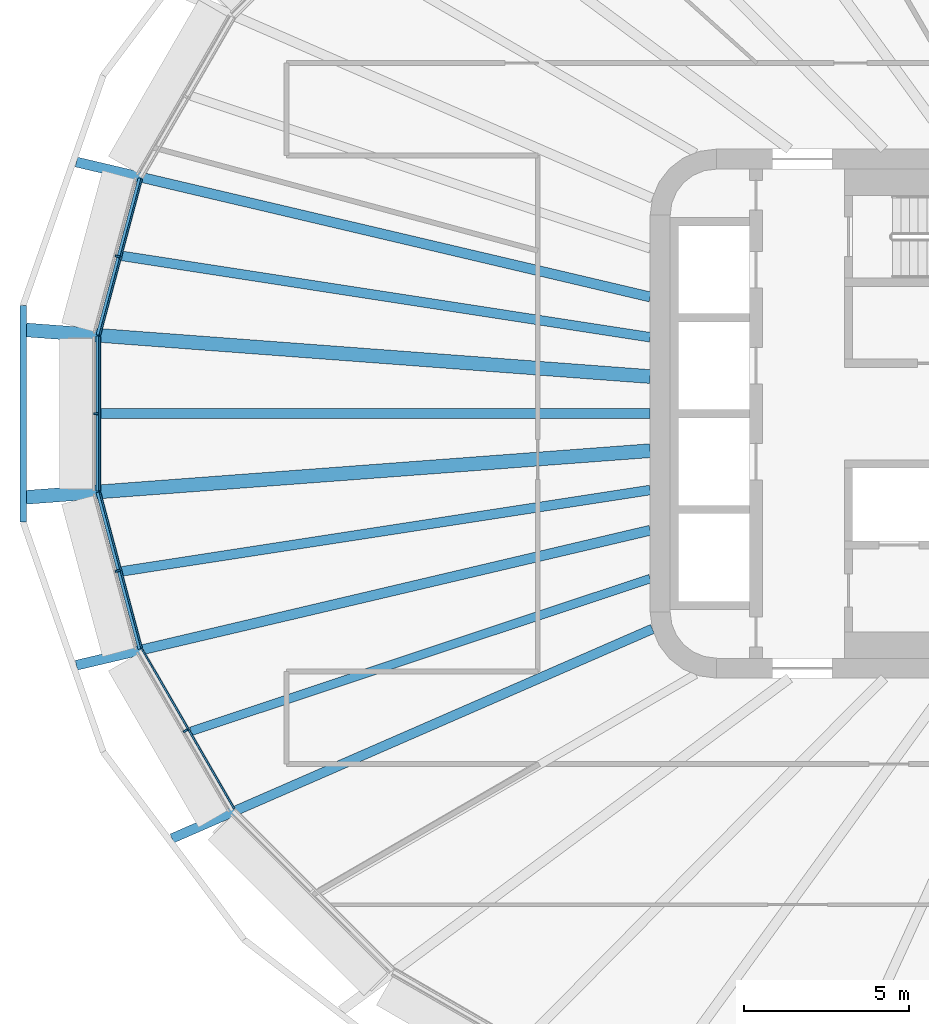
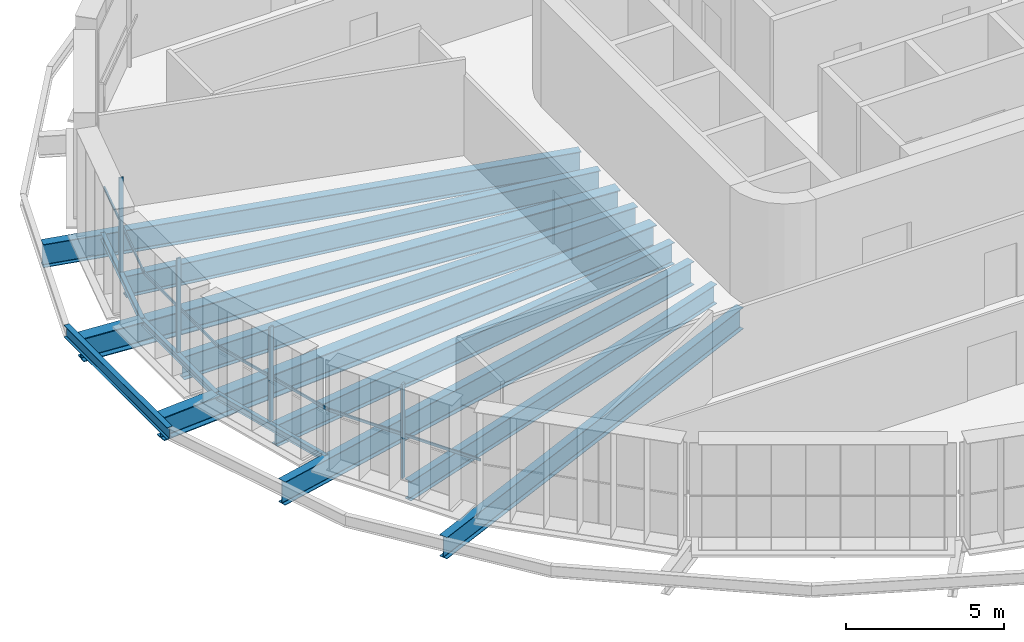
# One storey, part 3 of 24: 13 beams, 8 members, 4 elements without a shape of their own.
"""IFC4 building model written with IfcOpenShell, lengths in metres."""

from ifc_helpers import new_model, si_unit, direction, frame, origin, origin_2d, place, context, subcontext, project, spatial, rectangle, i_section, extrude, material, layer, layer_set, material_profile, profile_set, type_object, element, aggregate, save


model = new_model("IFC4")

# Units and contexts
model_context = context("Model", 3, precision=1e-05, world=origin(), true_north=direction((0.0, 1.0)))
body_context = subcontext(model_context, "Body", "Model", "MODEL_VIEW")
ifc_project = project(units=[si_unit("LENGTHUNIT", "METRE"), si_unit("AREAUNIT", "SQUARE_METRE"), si_unit("VOLUMEUNIT", "CUBIC_METRE"), si_unit("PLANEANGLEUNIT", "RADIAN"), si_unit("MASSUNIT", "GRAM", prefix="KILO")], contexts=[model_context])

# Site, building, storey
site_placement = place(None, origin())
site = spatial("IfcSite", under=ifc_project, at=site_placement, CompositionType="ELEMENT")
building_placement = place(site_placement, origin())
building = spatial("IfcBuilding", under=site, at=building_placement, Name="Sahrelin Media Tower", CompositionType="ELEMENT")
storey_placement = place(building_placement, frame((0.0, 0.0, 123.0)))
storey = spatial("IfcBuildingStorey", under=building, at=storey_placement, Name="L24", CompositionType="ELEMENT", Elevation=123.0)

# Beams
ifc_material_1 = material(Name="Steel S355", Category="steel")
ifc_material_profile_1 = material_profile(ifc_material_1, i_section(OverallWidth=0.14599609375, OverallDepth=0.25146484375, WebThickness=0.006103515625, FlangeThickness=0.008544921875, FilletRadius=0.007568359375, at=origin_2d()), Name="UB 254x146x31")
ifc_profile_set_1 = profile_set([ifc_material_profile_1], Name="Steel S355")
beam_type_1 = type_object("IfcBeamType", Name="Edge beam EB1", PredefinedType="BEAM", material=ifc_profile_set_1)
beam_1_placement = place(storey_placement, frame((-30.41845703125, -7.1142578125, -0.275634765625), z_axis=(-0.258817308442, 0.965926291624, 0.0), x_axis=(-0.965926291624, -0.258817308442, 0.0)))
element("IfcBeam", 1, at=beam_1_placement, inside=storey, type_object=beam_type_1, Name="Edge beam L24-12", PredefinedType="BEAM", context=body_context, shape_type="SweptSolid", body=[
    extrude(i_section(OverallWidth=0.14599609375, OverallDepth=0.25146484375, WebThickness=0.006103515625, FlangeThickness=0.008544921875, FilletRadius=0.007568359375, at=origin_2d()), origin(), (0.0, 0.0, 1.0), 4.907958984375),
])
beam_2_placement = place(storey_placement, frame((-31.6923828125, -2.344970703125, -0.275634765625), z_axis=(0.0, 1.0, 0.0), x_axis=(-1.0, 0.0, 0.0)))
element("IfcBeam", 2, at=beam_2_placement, inside=storey, type_object=beam_type_1, Name="Edge beam L24-13", PredefinedType="BEAM", context=body_context, shape_type="SweptSolid", body=[
    extrude(i_section(OverallWidth=0.14599609375, OverallDepth=0.25146484375, WebThickness=0.006103515625, FlangeThickness=0.008544921875, FilletRadius=0.007568359375, at=origin_2d()), origin(), (0.0, 0.0, 1.0), 4.68994140625),
])
beam_3_placement = place(storey_placement, frame((-31.688720703125, 2.37353515625, -0.275634765625), z_axis=(0.258817308442, 0.965926291624, 0.0), x_axis=(-0.965926291624, 0.258817308442, 0.0)))
element("IfcBeam", 3, at=beam_3_placement, inside=storey, type_object=beam_type_1, Name="Edge beam L24-14", PredefinedType="BEAM", context=body_context, shape_type="SweptSolid", body=[
    extrude(i_section(OverallWidth=0.14599609375, OverallDepth=0.25146484375, WebThickness=0.006103515625, FlangeThickness=0.008544921875, FilletRadius=0.007568359375, at=origin_2d()), origin(), (0.0, 0.0, 1.0), 4.907958984375),
])

# Curtain wall, member
ifc_material_2 = material(Name="Champagne anodised aluminium 6063-T6", Category="aluminium")
ifc_layer = layer(ifc_material_2, 0.14990234375)
ifc_layer_set = layer_set([ifc_layer], Name="Tower ribbon curtain wall")
curtain_wall_type = type_object("IfcCurtainWallType", Name="Tower ribbon curtain wall", PredefinedType="NOTDEFINED", material=ifc_layer_set)
curtain_wall_1_placement = place(storey_placement, frame((-31.198486328125, 4.78271484375, 0.0), z_axis=(0.0, 0.0, 1.0), x_axis=(1.0, 0.0, 0.0)))
curtain_wall_1 = element("IfcCurtainWall", 4, at=curtain_wall_1_placement, inside=storey, type_object=curtain_wall_type, Name="L24:CW:L24-11", PredefinedType="NOTDEFINED")
ifc_material_profile_2 = material_profile(ifc_material_2, rectangle(XDim=0.06005859375, YDim=0.14990234375, at=origin_2d()), Name="Mullion 60x150")
ifc_profile_set_2 = profile_set([ifc_material_profile_2], Name="Champagne anodised aluminium 6063-T6")
member_type_1 = type_object("IfcMemberType", Name="Mullion 60x150 CW1", PredefinedType="MULLION", material=ifc_profile_set_2)
member_1_placement = place(storey_placement, frame((-31.106689453125, 4.758056640625, 0.0), z_axis=(0.0, 0.0, 1.0), x_axis=(-0.258812301662, -0.965927633163, 0.0)))
member_1 = element("IfcMember", 5, at=member_1_placement, type_object=member_type_1, Name="L24:CWM:L24-11", PredefinedType="MULLION", context=body_context, shape_type="SweptSolid", body=[
    extrude(rectangle(XDim=0.06005859375, YDim=0.14990234375, at=origin_2d()), origin(), (0.0, 0.0, 1.0), 3.648681640625),
])

curtain_wall_2_placement = place(storey_placement, frame((-31.84228515625, 0.0, 0.0), z_axis=(0.0, 0.0, 1.0), x_axis=(1.0, 0.0, 0.0)))
curtain_wall_2 = element("IfcCurtainWall", 6, at=curtain_wall_2_placement, inside=storey, type_object=curtain_wall_type, Name="L24:CW:L24-12", PredefinedType="NOTDEFINED")
member_2_placement = place(storey_placement, frame((-31.747314453125, 0.0, 0.0), z_axis=(0.0, 0.0, 1.0), x_axis=(0.0, -1.0, 0.0)))
member_2 = element("IfcMember", 7, at=member_2_placement, type_object=member_type_1, Name="L24:CWM:L24-12", PredefinedType="MULLION", context=body_context, shape_type="SweptSolid", body=[
    extrude(rectangle(XDim=0.06005859375, YDim=0.14990234375, at=origin_2d()), origin(), (0.0, 0.0, 1.0), 3.648681640625),
])

curtain_wall_3_placement = place(storey_placement, frame((-31.198486328125, -4.78271484375, 0.0), z_axis=(0.0, 0.0, 1.0), x_axis=(1.0, 0.0, 0.0)))
curtain_wall_3 = element("IfcCurtainWall", 8, at=curtain_wall_3_placement, inside=storey, type_object=curtain_wall_type, Name="L24:CW:L24-13", PredefinedType="NOTDEFINED")
member_3_placement = place(storey_placement, frame((-31.106689453125, -4.758056640625, 0.0), z_axis=(0.0, 0.0, 1.0), x_axis=(0.258812301662, -0.965927633163, 0.0)))
member_3 = element("IfcMember", 9, at=member_3_placement, type_object=member_type_1, Name="L24:CWM:L24-13", PredefinedType="MULLION", context=body_context, shape_type="SweptSolid", body=[
    extrude(rectangle(XDim=0.06005859375, YDim=0.14990234375, at=origin_2d()), origin(), (0.0, 0.0, 1.0), 3.648681640625),
])

curtain_wall_4_placement = place(storey_placement, frame((-29.138916015625, -9.63818359375, 0.0), z_axis=(0.0, 0.0, 1.0), x_axis=(1.0, 0.0, 0.0)))
curtain_wall_4 = element("IfcCurtainWall", 10, at=curtain_wall_4_placement, inside=storey, type_object=curtain_wall_type, Name="L24:CW:L24-14", PredefinedType="NOTDEFINED")
member_4_placement = place(storey_placement, frame((-29.056396484375, -9.590576171875, 0.0), z_axis=(0.0, 0.0, 1.0), x_axis=(0.4999984885, -0.866026276448, 0.0)))
member_4 = element("IfcMember", 11, at=member_4_placement, type_object=member_type_1, Name="L24:CWM:L24-14", PredefinedType="MULLION", context=body_context, shape_type="SweptSolid", body=[
    extrude(rectangle(XDim=0.06005859375, YDim=0.14990234375, at=origin_2d()), origin(), (0.0, 0.0, 1.0), 3.648681640625),
])

# Beams
ifc_material_profile_3 = material_profile(ifc_material_1, i_section(OverallWidth=0.291748046875, OverallDepth=0.8349609375, WebThickness=0.013916015625, FlangeThickness=0.018798828125, FilletRadius=0.017822265625, at=origin_2d()), Name="UB 838x292x176")
ifc_profile_set_3 = profile_set([ifc_material_profile_3], Name="Steel S355")
beam_type_2 = type_object("IfcBeamType", Name="Radial primary beam PB10", PredefinedType="BEAM", material=ifc_profile_set_3)
beam_4_placement = place(storey_placement, frame((-14.9326171875, -6.51220703125, -0.5673828125), z_axis=(-0.916634616148, -0.399726131844, 0.0), x_axis=(0.399726131844, -0.916634616148, 0.0)))
element("IfcBeam", 12, at=beam_4_placement, inside=storey, type_object=beam_type_2, Name="Radial beam L24-15", PredefinedType="BEAM", context=body_context, shape_type="SweptSolid", body=[
    extrude(i_section(OverallWidth=0.291748046875, OverallDepth=0.8349609375, WebThickness=0.013916015625, FlangeThickness=0.018798828125, FilletRadius=0.017822265625, at=origin_2d()), origin(), (0.0, 0.0, 1.0), 15.8505859375),
])
ifc_material_profile_4 = material_profile(ifc_material_1, i_section(OverallWidth=0.30322265625, OverallDepth=0.903076171875, WebThickness=0.01513671875, FlangeThickness=0.020263671875, FilletRadius=0.01904296875, at=origin_2d()), Name="UB 914x305x201")
ifc_profile_set_4 = profile_set([ifc_material_profile_4], Name="Steel S355")
beam_type_3 = type_object("IfcBeamType", Name="Radial primary beam PB11", PredefinedType="BEAM", material=ifc_profile_set_4)
for number, where, z_axis, x_axis, name in (
    (13, (-15.0, 3.52783203125, -0.6015625), (-0.973438894473, 0.22894697798, 0.0), (-0.22894697798, -0.973438894473, 0.0), "Radial beam L24-11"),
    (14, (-15.0, -3.52783203125, -0.6015625), (-0.973438894473, -0.22894697798, 0.0), (0.22894697798, -0.973438894473, 0.0), "Radial beam L24-14"),
):
    element("IfcBeam", number, at=place(storey_placement, frame(where, z_axis=z_axis, x_axis=x_axis)), inside=storey, type_object=beam_type_3, Name=name, PredefinedType="BEAM", context=body_context, shape_type="SweptSolid", body=[
        extrude(i_section(OverallWidth=0.30322265625, OverallDepth=0.903076171875, WebThickness=0.01513671875, FlangeThickness=0.020263671875, FilletRadius=0.01904296875, at=origin_2d()), origin(), (0.0, 0.0, 1.0), 17.82861328125),
    ])
ifc_material_profile_5 = material_profile(ifc_material_1, i_section(OverallWidth=0.41845703125, OverallDepth=0.911865234375, WebThickness=0.019287109375, FlangeThickness=0.031982421875, FilletRadius=0.024169921875, at=origin_2d()), Name="UB 914x419x343")
ifc_profile_set_5 = profile_set([ifc_material_profile_5], Name="Steel S355")
beam_type_4 = type_object("IfcBeamType", Name="Radial primary beam PB12", PredefinedType="BEAM", material=ifc_profile_set_5)
for number, where, z_axis, x_axis, name in (
    (15, (-15.0, 1.120849609375, -0.60595703125), (-0.997220943798, 0.074500934562, 0.0), (-0.074500934562, -0.997220943798, 0.0), "Radial beam L24-12"),
    (16, (-15.0, -1.120849609375, -0.60595703125), (-0.997220943798, -0.074500934562, 0.0), (0.074500934562, -0.997220943798, 0.0), "Radial beam L24-13"),
):
    element("IfcBeam", number, at=place(storey_placement, frame(where, z_axis=z_axis, x_axis=x_axis)), inside=storey, type_object=beam_type_4, Name=name, PredefinedType="BEAM", context=body_context, shape_type="SweptSolid", body=[
        extrude(i_section(OverallWidth=0.41845703125, OverallDepth=0.911865234375, WebThickness=0.019287109375, FlangeThickness=0.031982421875, FilletRadius=0.024169921875, at=origin_2d()), origin(), (0.0, 0.0, 1.0), 18.92138671875),
    ])
ifc_material_profile_6 = material_profile(ifc_material_1, i_section(OverallWidth=0.291748046875, OverallDepth=0.8349609375, WebThickness=0.013916015625, FlangeThickness=0.018798828125, FilletRadius=0.017822265625, at=origin_2d()), Name="UB 838x292x176")
ifc_profile_set_6 = profile_set([ifc_material_profile_6], Name="Steel S355")
beam_type_5 = type_object("IfcBeamType", Name="Radial secondary beam SB10", PredefinedType="BEAM", material=ifc_profile_set_6)
for number, where, z_axis, x_axis, name in (
    (17, (-15.0, 2.309814453125, -0.5673828125), (-0.988349679946, 0.152200230453, 0.0), (-0.152200230453, -0.988349679946, 0.0), "Secondary beam L24-07"),
    (18, (-15.0, -2.309814453125, -0.5673828125), (-0.988349679946, -0.152200230453, 0.0), (0.152200230453, -0.988349679946, 0.0), "Secondary beam L24-09"),
):
    element("IfcBeam", number, at=place(storey_placement, frame(where, z_axis=z_axis, x_axis=x_axis)), inside=storey, type_object=beam_type_5, Name=name, PredefinedType="BEAM", context=body_context, shape_type="SweptSolid", body=[
        extrude(i_section(OverallWidth=0.291748046875, OverallDepth=0.8349609375, WebThickness=0.013916015625, FlangeThickness=0.018798828125, FilletRadius=0.017822265625, at=origin_2d()), origin(), (0.0, 0.0, 1.0), 16.159423828125),
    ])
ifc_material_profile_7 = material_profile(ifc_material_1, i_section(OverallWidth=0.30322265625, OverallDepth=0.903076171875, WebThickness=0.01513671875, FlangeThickness=0.020263671875, FilletRadius=0.01904296875, at=origin_2d()), Name="UB 914x305x201")
ifc_profile_set_7 = profile_set([ifc_material_profile_7], Name="Steel S355")
beam_type_6 = type_object("IfcBeamType", Name="Radial secondary beam SB11", PredefinedType="BEAM", material=ifc_profile_set_7)
beam_5_placement = place(storey_placement, frame((-15.0, 0.0, -0.6015625), z_axis=(-1.0, 0.0, 0.0), x_axis=(0.0, -1.0, 0.0)))
element("IfcBeam", 19, at=beam_5_placement, inside=storey, type_object=beam_type_6, Name="Secondary beam L24-08", PredefinedType="BEAM", context=body_context, shape_type="SweptSolid", body=[
    extrude(i_section(OverallWidth=0.30322265625, OverallDepth=0.903076171875, WebThickness=0.01513671875, FlangeThickness=0.020263671875, FilletRadius=0.01904296875, at=origin_2d()), origin(), (0.0, 0.0, 1.0), 16.619384765625),
])
ifc_material_profile_8 = material_profile(ifc_material_1, i_section(OverallWidth=0.26513671875, OverallDepth=0.75390625, WebThickness=0.0126953125, FlangeThickness=0.017578125, FilletRadius=0.0166015625, at=origin_2d()), Name="UB 762x267x147")
ifc_profile_set_8 = profile_set([ifc_material_profile_8], Name="Steel S355")
beam_type_7 = type_object("IfcBeamType", Name="Radial secondary beam SB9", PredefinedType="BEAM", material=ifc_profile_set_8)
beam_6_placement = place(storey_placement, frame((-15.0, -4.989501953125, -0.527099609375), z_axis=(-0.948886617928, -0.315617151493, 0.0), x_axis=(0.315617151493, -0.948886617928, 0.0)))
element("IfcBeam", 20, at=beam_6_placement, inside=storey, type_object=beam_type_7, Name="Secondary beam L24-10", PredefinedType="BEAM", context=body_context, shape_type="SweptSolid", body=[
    extrude(i_section(OverallWidth=0.26513671875, OverallDepth=0.75390625, WebThickness=0.0126953125, FlangeThickness=0.017578125, FilletRadius=0.0166015625, at=origin_2d()), origin(), (0.0, 0.0, 1.0), 14.63525390625),
])
ifc_material_profile_9 = material_profile(ifc_material_1, i_section(OverallWidth=0.1904296875, OverallDepth=0.45703125, WebThickness=0.009033203125, FlangeThickness=0.014404296875, FilletRadius=0.01025390625, at=origin_2d()), Name="UB 457x191x74")
ifc_profile_set_9 = profile_set([ifc_material_profile_9], Name="Steel S355")
beam_type_8 = type_object("IfcBeamType", Name="Tie chord TC5", PredefinedType="BEAM", material=ifc_profile_set_9)
beam_7_placement = place(storey_placement, frame((-33.964111328125, 3.276611328125, -0.37841796875), z_axis=(0.0, -1.0, 0.0), x_axis=(1.0, 0.0, 0.0)))
element("IfcBeam", 21, at=beam_7_placement, inside=storey, type_object=beam_type_8, Name="Tie chord L24-12", PredefinedType="BEAM", context=body_context, shape_type="SweptSolid", body=[
    extrude(i_section(OverallWidth=0.1904296875, OverallDepth=0.45703125, WebThickness=0.009033203125, FlangeThickness=0.014404296875, FilletRadius=0.01025390625, at=origin_2d()), origin(), (0.0, 0.0, 1.0), 6.55322265625),
])

# Member
ifc_material_profile_10 = material_profile(ifc_material_2, rectangle(XDim=0.050048828125, YDim=0.10009765625, at=origin_2d()), Name="Transom 50x100")
ifc_profile_set_10 = profile_set([ifc_material_profile_10], Name="Champagne anodised aluminium 6063-T6")
member_type_2 = type_object("IfcMemberType", Name="Transom 50x100 CW1", PredefinedType="USERDEFINED", material=ifc_profile_set_10)
member_5_placement = place(storey_placement, frame((-30.37890625, 7.08740234375, 1.60009765625), z_axis=(-0.25882783967, -0.965923469749, 0.0), x_axis=(0.965923469749, -0.25882783967, 0.0)))
member_5 = element("IfcMember", 22, at=member_5_placement, type_object=member_type_2, Name="L24:CWT:L24-11", ObjectType="TRANSOM", PredefinedType="USERDEFINED", context=body_context, shape_type="SweptSolid", body=[
    extrude(rectangle(XDim=0.050048828125, YDim=0.10009765625, at=origin_2d()), origin(), (0.0, 0.0, 1.0), 4.876708984375),
])

aggregate(curtain_wall_1, [member_1, member_5])

member_6_placement = place(storey_placement, frame((-31.6474609375, 2.3291015625, 1.60009765625), z_axis=(0.0, -1.0, 0.0), x_axis=(1.0, 0.0, 0.0)))
member_6 = element("IfcMember", 23, at=member_6_placement, type_object=member_type_2, Name="L24:CWT:L24-12", ObjectType="TRANSOM", PredefinedType="USERDEFINED", context=body_context, shape_type="SweptSolid", body=[
    extrude(rectangle(XDim=0.050048828125, YDim=0.10009765625, at=origin_2d()), origin(), (0.0, 0.0, 1.0), 4.658203125),
])

aggregate(curtain_wall_2, [member_2, member_6])

member_7_placement = place(storey_placement, frame((-31.64111328125, -2.376953125, 1.60009765625), z_axis=(0.25882783967, -0.965923469749, 0.0), x_axis=(0.965923469749, 0.25882783967, 0.0)))
member_7 = element("IfcMember", 24, at=member_7_placement, type_object=member_type_2, Name="L24:CWT:L24-13", ObjectType="TRANSOM", PredefinedType="USERDEFINED", context=body_context, shape_type="SweptSolid", body=[
    extrude(rectangle(XDim=0.050048828125, YDim=0.10009765625, at=origin_2d()), origin(), (0.0, 0.0, 1.0), 4.876708984375),
])

aggregate(curtain_wall_3, [member_3, member_7])

member_8_placement = place(storey_placement, frame((-30.360595703125, -7.132080078125, 1.60009765625), z_axis=(0.500009936039, -0.866019667134, 0.0), x_axis=(0.866019667134, 0.500009936039, 0.0)))
member_8 = element("IfcMember", 25, at=member_8_placement, type_object=member_type_2, Name="L24:CWT:L24-14", ObjectType="TRANSOM", PredefinedType="USERDEFINED", context=body_context, shape_type="SweptSolid", body=[
    extrude(rectangle(XDim=0.050048828125, YDim=0.10009765625, at=origin_2d()), origin(), (0.0, 0.0, 1.0), 5.5625),
])

aggregate(curtain_wall_4, [member_4, member_8])

save(model, "model.ifc")
